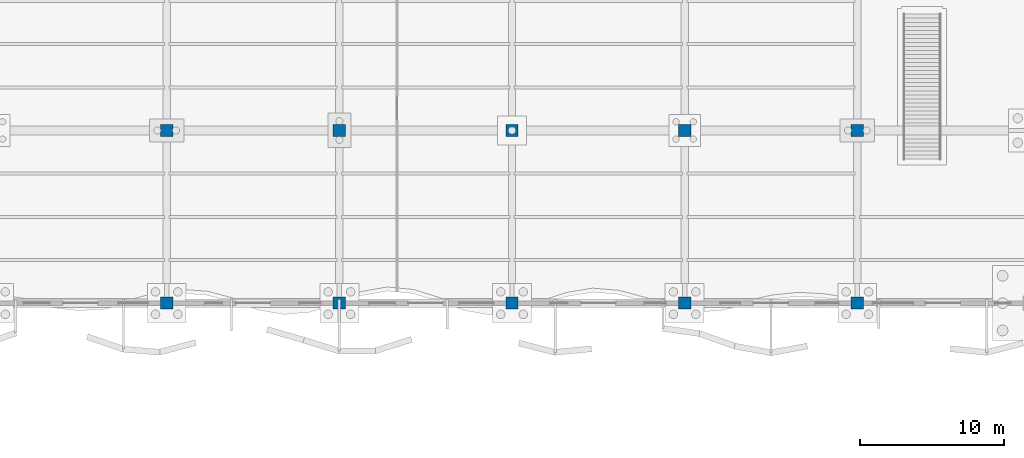
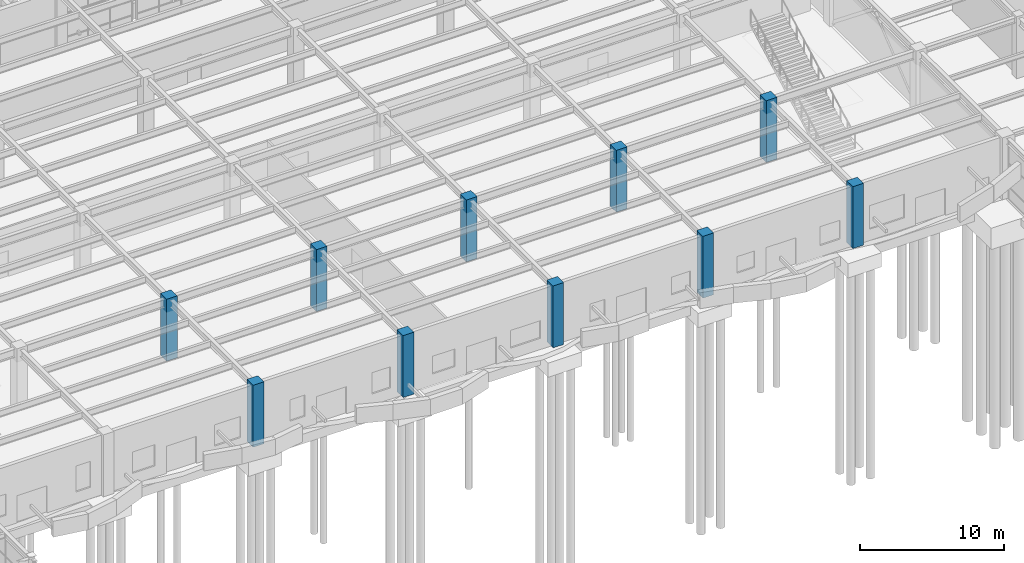
# One storey, part 13 of 85: 10 columns.
"""IFC4 building model written with IfcOpenShell, lengths in metres."""

from ifc_helpers import new_model, si_unit, direction, frame, origin, origin_2d, place, context, subcontext, project, spatial, rectangle, extrude, material, material_profile, profile_set, type_object, element, save


model = new_model("IFC4")

# Units and contexts
model_context = context("Model", 3, precision=1e-05, world=origin(), true_north=direction((0.0, 1.0)))
body_context = subcontext(model_context, "Body", "Model", "MODEL_VIEW")
ifc_project = project(units=[si_unit("LENGTHUNIT", "METRE"), si_unit("AREAUNIT", "SQUARE_METRE"), si_unit("VOLUMEUNIT", "CUBIC_METRE"), si_unit("PLANEANGLEUNIT", "RADIAN"), si_unit("MASSUNIT", "GRAM", prefix="KILO")], contexts=[model_context])

# Site, building, storey
site_placement = place(None, origin())
site = spatial("IfcSite", under=ifc_project, at=site_placement, CompositionType="ELEMENT")
building_placement = place(site_placement, origin())
building = spatial("IfcBuilding", under=site, at=building_placement, Name="Keelwater Ferry Terminal", CompositionType="ELEMENT")
storey_placement = place(building_placement, origin())
storey = spatial("IfcBuildingStorey", under=building, at=storey_placement, Name="L00", CompositionType="ELEMENT", Elevation=0.0)

# Columns
ifc_material = material(Name="Concrete C50/60", Category="concrete")
ifc_material_profile = material_profile(ifc_material, rectangle(XDim=0.85009765625, YDim=0.85009765625, at=origin_2d()), Name="RC 850x850")
ifc_profile_set = profile_set([ifc_material_profile], Name="Concrete C50/60")
column_type = type_object("IfcColumnType", Name="C1 RC 850x850", PredefinedType="COLUMN", material=ifc_profile_set)
for number, where, z_axis, x_axis, name in (
    (1, (72.0, 42.0, 0.0), (0.0, 0.0, 1.0), (1.0, 0.0, 0.0), "Column CL-L00-0126"),
    (2, (72.0, 54.0, 0.0), (0.0, 0.0, 1.0), (1.0, 0.0, 0.0), "Column CL-L00-0129"),
    (3, (84.0, 42.0, 0.0), (0.0, 0.0, 1.0), (1.0, 0.0, 0.0), "Column CL-L00-0139"),
    (4, (84.0, 54.0, 0.0), (0.0, 0.0, 1.0), (1.0, 0.0, 0.0), "Column CL-L00-0142"),
    (5, (96.0, 42.0, 0.0), (0.0, 0.0, 1.0), (1.0, 0.0, 0.0), "Column CL-L00-0152"),
    (6, (96.0, 54.0, 0.0), (0.0, 0.0, 1.0), (1.0, 0.0, 0.0), "Column CL-L00-0155"),
    (7, (108.0, 42.0, 0.0), (0.0, 0.0, 1.0), (1.0, 0.0, 0.0), "Column CL-L00-0165"),
    (8, (108.0, 54.0, 0.0), (0.0, 0.0, 1.0), (1.0, 0.0, 0.0), "Column CL-L00-0168"),
    (9, (120.0, 42.0, 0.0), (0.0, 0.0, 1.0), (1.0, 0.0, 0.0), "Column CL-L00-0197"),
    (10, (120.0, 54.0, 0.0), (0.0, 0.0, 1.0), (1.0, 0.0, 0.0), "Column CL-L00-0200"),
):
    element("IfcColumn", number, at=place(storey_placement, frame(where, z_axis=z_axis, x_axis=x_axis)), inside=storey, type_object=column_type, Name=name, PredefinedType="COLUMN", context=body_context, shape_type="SweptSolid", body=[
        extrude(rectangle(XDim=0.85009765625, YDim=0.85009765625, at=origin_2d()), origin(), (0.0, 0.0, 1.0), 5.239990234375),
    ])

save(model, "model.ifc")
